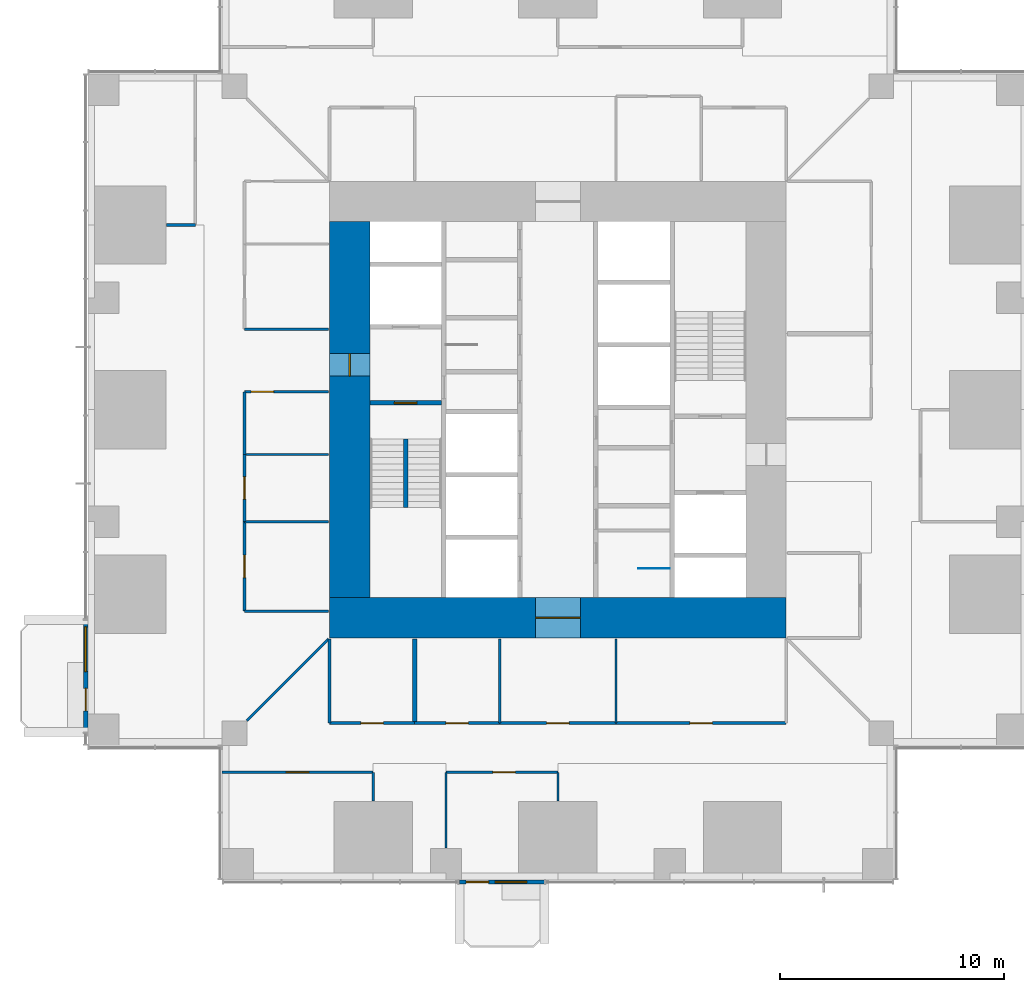
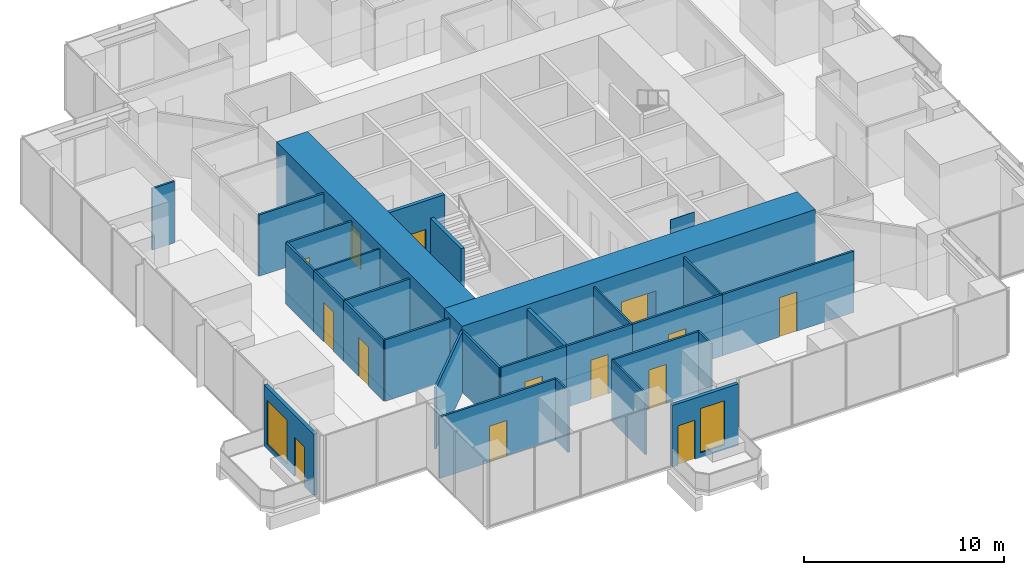
# One storey, part 11 of 17: 30 walls, 14 doors, 2 windows, 16 openings.
"""IFC4 building model written with IfcOpenShell, lengths in metres."""

from ifc_helpers import new_model, si_unit, direction, frame, frame_2d, origin, place, context, subcontext, project, spatial, rectangle, extrude, material, layer, layer_set, type_object, element, fill, save


model = new_model("IFC4")

# Units and contexts
model_context = context("Model", 3, precision=1e-05, world=origin(), true_north=direction((0.0, 1.0)))
body_context = subcontext(model_context, "Body", "Model", "MODEL_VIEW")
ifc_project = project(units=[si_unit("LENGTHUNIT", "METRE"), si_unit("AREAUNIT", "SQUARE_METRE"), si_unit("VOLUMEUNIT", "CUBIC_METRE"), si_unit("PLANEANGLEUNIT", "RADIAN"), si_unit("MASSUNIT", "GRAM", prefix="KILO")], contexts=[model_context])

# Site, building, storey
site_placement = place(None, origin())
site = spatial("IfcSite", under=ifc_project, at=site_placement, CompositionType="ELEMENT")
building_placement = place(site_placement, origin())
building = spatial("IfcBuilding", under=site, at=building_placement, Name="Svetlomir Tower", CompositionType="ELEMENT")
storey_placement = place(building_placement, frame((0.0, 0.0, 70.5)))
storey = spatial("IfcBuildingStorey", under=building, at=storey_placement, Name="L16", CompositionType="ELEMENT", Elevation=70.5)

# Wall
ifc_material_1 = material(Name="Gypsum board on twin steel studs", Category="steel")
ifc_layer_1 = layer(ifc_material_1, 0.199951171875)
ifc_layer_set_1 = layer_set([ifc_layer_1], Name="Gypsum board on twin steel studs")
wall_type_1 = type_object("IfcWallType", Name="ACOUSTIC PARTITION 200", PredefinedType="PARTITIONING", material=ifc_layer_set_1)
wall_1_placement = place(storey_placement, frame((14.60009765625, 7.0, 0.0), z_axis=(0.0, 0.0, 1.0), x_axis=(0.0, 1.0, 0.0)))
element("IfcWall", 1, at=wall_1_placement, inside=storey, type_object=wall_type_1, Name="Acoustic partition L16", PredefinedType="PARTITIONING", context=body_context, shape_type="SweptSolid", body=[
    extrude(rectangle(XDim=3.75, YDim=0.199951171875, at=frame_2d((1.875, 0.0))), origin(), (0.0, 0.0, 1.0), 3.75),
])

# Wall, openings, door, window
ifc_material_2 = material(Name="Bronze anodised aluminium glazed screen", Category="aluminium")
ifc_layer_2 = layer(ifc_material_2, 0.199951171875)
ifc_layer_set_2 = layer_set([ifc_layer_2], Name="Bronze anodised aluminium glazed screen")
wall_type_2 = type_object("IfcWallType", Name="BALCONY SCREEN WALL 200", PredefinedType="USERDEFINED", material=ifc_layer_set_2)
wall_2_placement = place(storey_placement, frame((16.60009765625, -0.10009765625, 0.0), z_axis=(0.0, 0.0, 1.0), x_axis=(1.0, 0.0, 0.0)))
wall_2 = element("IfcWall", 2, at=wall_2_placement, inside=storey, type_object=wall_type_2, Name="Balcony screen S", ObjectType="GLAZED SCREEN", PredefinedType="USERDEFINED", context=body_context, shape_type="SweptSolid", body=[
    extrude(rectangle(XDim=3.7998046875, YDim=0.199951171875, at=frame_2d((1.89990234375, 0.0))), origin(), (0.0, 0.0, 1.0), 3.75),
])
opening_1_placement = place(wall_2_placement, frame((0.300048828125, 0.0, 0.0)))
opening_1 = element("IfcOpeningElement", 3, at=opening_1_placement, cuts=wall_2, Name="Opening BD", PredefinedType="OPENING", context=body_context, shape_type="SweptSolid", body=[
    extrude(rectangle(XDim=1.0, YDim=2.39990234375, at=frame_2d((0.5, 1.199951171875))), frame((0.0, 0.10986328125, 0.0), z_axis=(0.0, -1.0, 0.0), x_axis=(1.0, 0.0, 0.0)), (0.0, 0.0, 1.0), 0.219970703125),
])
opening_2_placement = place(wall_2_placement, frame((1.60009765625, 0.0, 0.300048828125)))
opening_2 = element("IfcOpeningElement", 4, at=opening_2_placement, cuts=wall_2, Name="Opening WS2", PredefinedType="OPENING", context=body_context, shape_type="SweptSolid", body=[
    extrude(rectangle(XDim=1.39990234375, YDim=2.699951171875, at=frame_2d((0.699951171875, 1.35009765625))), frame((0.0, 0.10986328125, 0.0), z_axis=(0.0, -1.0, 0.0), x_axis=(1.0, 0.0, 0.0)), (0.0, 0.0, 1.0), 0.219970703125),
])
ifc_material_3 = material(Name="Bronze anodised aluminium glazed door", Category="aluminium")
door_type_1 = type_object("IfcDoorType", Name="BALCONY DOOR BD 1000x2400", OperationType="SINGLE_SWING_LEFT", PredefinedType="DOOR", material=ifc_material_3)
door_1_placement = place(opening_1_placement, origin())
door_1 = element("IfcDoor", 5, at=door_1_placement, inside=storey, type_object=door_type_1, Name="Balcony screen S door", OperationType="SINGLE_SWING_LEFT", OverallHeight=2.39990234375, OverallWidth=1.0, PredefinedType="DOOR", context=body_context, shape_type="SweptSolid", body=[
    extrude(rectangle(XDim=1.0, YDim=2.39990234375, at=frame_2d((0.5, 1.199951171875))), frame((0.0, 0.02490234375, 0.0), z_axis=(0.0, -1.0, 0.0), x_axis=(1.0, 0.0, 0.0)), (0.0, 0.0, 1.0), 0.050048828125),
])
fill(opening_1, door_1)
ifc_material_4 = material(Name="Bronze anodised aluminium window", Category="aluminium")
window_type_1 = type_object("IfcWindowType", Name="SCREEN WINDOW WS2 1400x2700", PartitioningType="SINGLE_PANEL", PredefinedType="WINDOW", material=ifc_material_4)
window_1_placement = place(opening_2_placement, origin())
window_1 = element("IfcWindow", 6, at=window_1_placement, inside=storey, type_object=window_type_1, Name="Balcony screen S window 1", OverallHeight=2.699951171875, OverallWidth=1.39990234375, PartitioningType="SINGLE_PANEL", PredefinedType="WINDOW", context=body_context, shape_type="SweptSolid", body=[
    extrude(rectangle(XDim=1.39990234375, YDim=2.699951171875, at=frame_2d((0.699951171875, 1.35009765625))), frame((0.0, 0.030029296875, 0.0), z_axis=(0.0, -1.0, 0.0), x_axis=(1.0, 0.0, 0.0)), (0.0, 0.0, 1.0), 0.06005859375),
])
fill(opening_2, window_1)

wall_3_placement = place(storey_placement, frame((-0.10009765625, 11.60009765625, 0.0), z_axis=(0.0, 0.0, 1.0), x_axis=(0.0, -1.0, 0.0)))
wall_3 = element("IfcWall", 7, at=wall_3_placement, inside=storey, type_object=wall_type_2, Name="Balcony screen W", ObjectType="GLAZED SCREEN", PredefinedType="USERDEFINED", context=body_context, shape_type="SweptSolid", body=[
    extrude(rectangle(XDim=5.0, YDim=0.199951171875, at=frame_2d((2.5, 0.0))), origin(), (0.0, 0.0, 1.0), 3.75),
])
opening_3_placement = place(wall_3_placement, frame((3.050048828125, 0.0, 0.0)))
opening_3 = element("IfcOpeningElement", 8, at=opening_3_placement, cuts=wall_3, Name="Opening BD", PredefinedType="OPENING", context=body_context, shape_type="SweptSolid", body=[
    extrude(rectangle(XDim=1.0, YDim=2.39990234375, at=frame_2d((0.5, 1.199951171875))), frame((0.0, 0.10986328125, 0.0), z_axis=(0.0, -1.0, 0.0), x_axis=(1.0, 0.0, 0.0)), (0.0, 0.0, 1.0), 0.219970703125),
])
opening_4_placement = place(wall_3_placement, frame((0.300048828125, 0.0, 0.300048828125)))
opening_4 = element("IfcOpeningElement", 9, at=opening_4_placement, cuts=wall_3, Name="Opening WS", PredefinedType="OPENING", context=body_context, shape_type="SweptSolid", body=[
    extrude(rectangle(XDim=2.0, YDim=2.699951171875, at=frame_2d((1.0, 1.35009765625))), frame((0.0, 0.10986328125, 0.0), z_axis=(0.0, -1.0, 0.0), x_axis=(1.0, 0.0, 0.0)), (0.0, 0.0, 1.0), 0.219970703125),
])
door_2_placement = place(opening_3_placement, origin())
door_2 = element("IfcDoor", 10, at=door_2_placement, inside=storey, type_object=door_type_1, Name="Balcony screen W door", OperationType="SINGLE_SWING_LEFT", OverallHeight=2.39990234375, OverallWidth=1.0, PredefinedType="DOOR", context=body_context, shape_type="SweptSolid", body=[
    extrude(rectangle(XDim=1.0, YDim=2.39990234375, at=frame_2d((0.5, 1.199951171875))), frame((0.0, 0.02490234375, 0.0), z_axis=(0.0, -1.0, 0.0), x_axis=(1.0, 0.0, 0.0)), (0.0, 0.0, 1.0), 0.050048828125),
])
fill(opening_3, door_2)
ifc_material_5 = material(Name="Bronze anodised aluminium window", Category="aluminium")
window_type_2 = type_object("IfcWindowType", Name="SCREEN WINDOW WS 2000x2700", PartitioningType="SINGLE_PANEL", PredefinedType="WINDOW", material=ifc_material_5)
window_2_placement = place(opening_4_placement, origin())
window_2 = element("IfcWindow", 11, at=window_2_placement, inside=storey, type_object=window_type_2, Name="Balcony screen W window 1", OverallHeight=2.699951171875, OverallWidth=2.0, PartitioningType="SINGLE_PANEL", PredefinedType="WINDOW", context=body_context, shape_type="SweptSolid", body=[
    extrude(rectangle(XDim=2.0, YDim=2.699951171875, at=frame_2d((1.0, 1.35009765625))), frame((0.0, 0.030029296875, 0.0), z_axis=(0.0, -1.0, 0.0), x_axis=(1.0, 0.0, 0.0)), (0.0, 0.0, 1.0), 0.06005859375),
])
fill(opening_4, window_2)

# Wall, opening, door
ifc_material_6 = material(Name="Concrete C60/75", Category="concrete")
ifc_layer_3 = layer(ifc_material_6, 0.199951171875)
ifc_layer_set_3 = layer_set([ifc_layer_3], Name="Concrete C60/75")
wall_type_3 = type_object("IfcWallType", Name="CORE INNER WALL 200", PredefinedType="SHEAR", material=ifc_layer_set_3)
wall_4_placement = place(storey_placement, frame((12.60009765625, 21.300048828125, -0.050048828125), z_axis=(0.0, 0.0, 1.0), x_axis=(1.0, 0.0, 0.0)))
wall_4 = element("IfcWall", 12, at=wall_4_placement, inside=storey, type_object=wall_type_3, Name="Core inner wall 12.6-15.8/21.3 L16", PredefinedType="SHEAR", context=body_context, shape_type="SweptSolid", body=[
    extrude(rectangle(XDim=3.199951171875, YDim=0.199951171875, at=frame_2d((1.60009765625, 0.0))), origin(), (0.0, 0.0, 1.0), 4.0),
])
opening_5_placement = place(wall_4_placement, frame((1.10009765625, 0.0, 0.050048828125)))
opening_5 = element("IfcOpeningElement", 13, at=opening_5_placement, cuts=wall_4, Name="Opening DF", PredefinedType="OPENING", context=body_context, shape_type="SweptSolid", body=[
    extrude(rectangle(XDim=1.0, YDim=2.199951171875, at=frame_2d((0.5, 1.10009765625))), frame((0.0, 0.10986328125, 0.0), z_axis=(0.0, -1.0, 0.0), x_axis=(1.0, 0.0, 0.0)), (0.0, 0.0, 1.0), 0.219970703125),
])
ifc_material_7 = material(Name="Steel fire door", Category="steel")
door_type_2 = type_object("IfcDoorType", Name="DOOR DF 1000x2200", OperationType="SINGLE_SWING_LEFT", PredefinedType="DOOR", material=ifc_material_7)
door_3_placement = place(opening_5_placement, origin())
door_3 = element("IfcDoor", 14, at=door_3_placement, inside=storey, type_object=door_type_2, Name="Stair S1 door L16", OperationType="SINGLE_SWING_RIGHT", OverallHeight=2.199951171875, OverallWidth=1.0, PredefinedType="DOOR", context=body_context, shape_type="SweptSolid", body=[
    extrude(rectangle(XDim=1.0, YDim=2.199951171875, at=frame_2d((0.5, 1.10009765625))), frame((0.0, 0.02490234375, 0.0), z_axis=(0.0, -1.0, 0.0), x_axis=(1.0, 0.0, 0.0)), (0.0, 0.0, 1.0), 0.050048828125),
])
fill(opening_5, door_3)

ifc_material_8 = material(Name="Concrete C60/75", Category="concrete")
ifc_layer_4 = layer(ifc_material_8, 1.800048828125)
ifc_layer_set_4 = layer_set([ifc_layer_4], Name="Concrete C60/75")
wall_type_4 = type_object("IfcWallType", Name="CORE WALL 1800", PredefinedType="SHEAR", material=ifc_layer_set_4)
wall_5_placement = place(storey_placement, frame((10.800048828125, 11.699951171875, -0.050048828125), z_axis=(0.0, 0.0, 1.0), x_axis=(1.0, 0.0, 0.0)))
wall_5 = element("IfcWall", 15, at=wall_5_placement, inside=storey, type_object=wall_type_4, Name="Core wall south L16", PredefinedType="SHEAR", context=body_context, shape_type="SweptSolid", body=[
    extrude(rectangle(XDim=20.39990234375, YDim=1.800048828125, at=frame_2d((10.199951171875, 0.0))), origin(), (0.0, 0.0, 1.0), 4.0),
])
opening_6_placement = place(wall_5_placement, frame((9.199951171875, 0.0, 0.050048828125)))
opening_6 = element("IfcOpeningElement", 16, at=opening_6_placement, cuts=wall_5, Name="Opening DL", PredefinedType="OPENING", context=body_context, shape_type="SweptSolid", body=[
    extrude(rectangle(XDim=2.0, YDim=2.199951171875, at=frame_2d((1.0, 1.10009765625))), frame((0.0, 0.91015625, 0.0), z_axis=(0.0, -1.0, 0.0), x_axis=(1.0, 0.0, 0.0)), (0.0, 0.0, 1.0), 1.820068359375),
])
ifc_material_9 = material(Name="Steel fire door", Category="steel")
door_type_3 = type_object("IfcDoorType", Name="DOOR DL 2000x2200", OperationType="DOUBLE_DOOR_SINGLE_SWING", PredefinedType="DOOR", material=ifc_material_9)
door_4_placement = place(opening_6_placement, origin())
door_4 = element("IfcDoor", 17, at=door_4_placement, inside=storey, type_object=door_type_3, Name="Lift lobby south door L16", OperationType="DOUBLE_DOOR_SINGLE_SWING", OverallHeight=2.199951171875, OverallWidth=2.0, PredefinedType="DOOR", context=body_context, shape_type="SweptSolid", body=[
    extrude(rectangle(XDim=2.0, YDim=2.199951171875, at=frame_2d((1.0, 1.10009765625))), frame((0.0, 0.02490234375, 0.0), z_axis=(0.0, -1.0, 0.0), x_axis=(1.0, 0.0, 0.0)), (0.0, 0.0, 1.0), 0.050048828125),
])
fill(opening_6, door_4)

wall_6_placement = place(storey_placement, frame((11.699951171875, 12.60009765625, -0.050048828125), z_axis=(0.0, 0.0, 1.0), x_axis=(0.0, 1.0, 0.0)))
wall_6 = element("IfcWall", 18, at=wall_6_placement, inside=storey, type_object=wall_type_4, Name="Core wall west L16", PredefinedType="SHEAR", context=body_context, shape_type="SweptSolid", body=[
    extrude(rectangle(XDim=16.7998046875, YDim=1.800048828125, at=frame_2d((8.39990234375, 0.0))), origin(), (0.0, 0.0, 1.0), 4.0),
])
opening_7_placement = place(wall_6_placement, frame((9.89990234375, 0.0, 0.050048828125)))
opening_7 = element("IfcOpeningElement", 19, at=opening_7_placement, cuts=wall_6, Name="Opening DF", PredefinedType="OPENING", context=body_context, shape_type="SweptSolid", body=[
    extrude(rectangle(XDim=1.0, YDim=2.199951171875, at=frame_2d((0.5, 1.10009765625))), frame((0.0, 0.91015625, 0.0), z_axis=(0.0, -1.0, 0.0), x_axis=(1.0, 0.0, 0.0)), (0.0, 0.0, 1.0), 1.820068359375),
])
door_5_placement = place(opening_7_placement, origin())
door_5 = element("IfcDoor", 20, at=door_5_placement, inside=storey, type_object=door_type_2, Name="Firefighting lobby west door L16", OperationType="SINGLE_SWING_RIGHT", OverallHeight=2.199951171875, OverallWidth=1.0, PredefinedType="DOOR", context=body_context, shape_type="SweptSolid", body=[
    extrude(rectangle(XDim=1.0, YDim=2.199951171875, at=frame_2d((0.5, 1.10009765625))), frame((0.0, 0.02490234375, 0.0), z_axis=(0.0, -1.0, 0.0), x_axis=(1.0, 0.0, 0.0)), (0.0, 0.0, 1.0), 0.050048828125),
])
fill(opening_7, door_5)

# Walls
ifc_material_10 = material(Name="Framed laminated glass partition", Category="glass")
ifc_layer_5 = layer(ifc_material_10, 0.10009765625)
ifc_layer_set_5 = layer_set([ifc_layer_5], Name="Framed laminated glass partition")
wall_type_5 = type_object("IfcWallType", Name="GLAZED PARTITION 100", PredefinedType="PARTITIONING", material=ifc_layer_set_5)
wall_7_placement = place(storey_placement, frame((7.0, 19.0, 0.0), z_axis=(0.0, 0.0, 1.0), x_axis=(1.0, 0.0, 0.0)))
element("IfcWall", 21, at=wall_7_placement, inside=storey, type_object=wall_type_5, Name="Glazed partition L16", PredefinedType="PARTITIONING", context=body_context, shape_type="SweptSolid", body=[
    extrude(rectangle(XDim=3.75, YDim=0.10009765625, at=frame_2d((1.875, 0.0))), origin(), (0.0, 0.0, 1.0), 3.75),
])
wall_8_placement = place(storey_placement, frame((16.0, 1.409912109375, 0.0), z_axis=(0.0, 0.0, 1.0), x_axis=(0.0, 1.0, 0.0)))
element("IfcWall", 22, at=wall_8_placement, inside=storey, type_object=wall_type_5, Name="Glazed partition L16", PredefinedType="PARTITIONING", context=body_context, shape_type="SweptSolid", body=[
    extrude(rectangle(XDim=3.39013671875, YDim=0.10009765625, at=frame_2d((1.695068359375, 0.0))), origin(), (0.0, 0.0, 1.0), 3.75),
])
wall_9_placement = place(storey_placement, frame((18.39990234375, 7.0, 0.0), z_axis=(0.0, 0.0, 1.0), x_axis=(0.0, 1.0, 0.0)))
element("IfcWall", 23, at=wall_9_placement, inside=storey, type_object=wall_type_5, Name="Glazed partition L16", PredefinedType="PARTITIONING", context=body_context, shape_type="SweptSolid", body=[
    extrude(rectangle(XDim=3.75, YDim=0.10009765625, at=frame_2d((1.875, 0.0))), origin(), (0.0, 0.0, 1.0), 3.75),
])
wall_10_placement = place(storey_placement, frame((21.0, 3.510009765625, 0.0), z_axis=(0.0, 0.0, 1.0), x_axis=(0.0, 1.0, 0.0)))
element("IfcWall", 24, at=wall_10_placement, inside=storey, type_object=wall_type_5, Name="Glazed partition L16", PredefinedType="PARTITIONING", context=body_context, shape_type="SweptSolid", body=[
    extrude(rectangle(XDim=1.2900390625, YDim=0.10009765625, at=frame_2d((0.64501953125, 0.0))), origin(), (0.0, 0.0, 1.0), 3.75),
])
wall_11_placement = place(storey_placement, frame((23.60009765625, 7.0, 0.0), z_axis=(0.0, 0.0, 1.0), x_axis=(0.0, 1.0, 0.0)))
element("IfcWall", 25, at=wall_11_placement, inside=storey, type_object=wall_type_5, Name="Glazed partition L16", PredefinedType="PARTITIONING", context=body_context, shape_type="SweptSolid", body=[
    extrude(rectangle(XDim=3.75, YDim=0.10009765625, at=frame_2d((1.875, 0.0))), origin(), (0.0, 0.0, 1.0), 3.75),
])
ifc_material_11 = material(Name="Gypsum board on steel studs", Category="steel")
ifc_layer_6 = layer(ifc_material_11, 0.1201171875)
ifc_layer_set_6 = layer_set([ifc_layer_6], Name="Gypsum board on steel studs")
wall_type_6 = type_object("IfcWallType", Name="PARTITION 120", PredefinedType="PARTITIONING", material=ifc_layer_set_6)
wall_12_placement = place(storey_placement, frame((3.510009765625, 29.25, 0.0), z_axis=(0.0, 0.0, 1.0), x_axis=(1.0, 0.0, 0.0)))
element("IfcWall", 26, at=wall_12_placement, inside=storey, type_object=wall_type_6, Name="Partition L16", PredefinedType="PARTITIONING", context=body_context, shape_type="SweptSolid", body=[
    extrude(rectangle(XDim=1.2900390625, YDim=0.1201171875, at=frame_2d((0.64501953125, 0.0))), origin(), (0.0, 0.0, 1.0), 3.75),
])

# Wall, opening, door
wall_13_placement = place(storey_placement, frame((6.0, 4.800048828125, 0.0), z_axis=(0.0, 0.0, 1.0), x_axis=(1.0, 0.0, 0.0)))
wall_13 = element("IfcWall", 27, at=wall_13_placement, inside=storey, type_object=wall_type_6, Name="Partition L16", PredefinedType="PARTITIONING", context=body_context, shape_type="SweptSolid", body=[
    extrude(rectangle(XDim=6.75, YDim=0.1201171875, at=frame_2d((3.375, 0.0))), origin(), (0.0, 0.0, 1.0), 3.75),
])
opening_8_placement = place(wall_13_placement, frame((2.875, 0.0, 0.0)))
opening_8 = element("IfcOpeningElement", 28, at=opening_8_placement, cuts=wall_13, Name="Opening DR", PredefinedType="OPENING", context=body_context, shape_type="SweptSolid", body=[
    extrude(rectangle(XDim=1.0, YDim=2.199951171875, at=frame_2d((0.5, 1.10009765625))), frame((0.0, 0.070068359375, 0.0), z_axis=(0.0, -1.0, 0.0), x_axis=(1.0, 0.0, 0.0)), (0.0, 0.0, 1.0), 0.14013671875),
])
ifc_material_12 = material(Name="Timber door, glazed side light", Category="wood")
door_type_4 = type_object("IfcDoorType", Name="DOOR DR 1000x2200", OperationType="SINGLE_SWING_LEFT", PredefinedType="DOOR", material=ifc_material_12)
door_6_placement = place(opening_8_placement, origin())
door_6 = element("IfcDoor", 29, at=door_6_placement, inside=storey, type_object=door_type_4, Name="Head of procurement office door L16", OperationType="SINGLE_SWING_RIGHT", OverallHeight=2.199951171875, OverallWidth=1.0, PredefinedType="DOOR", context=body_context, shape_type="SweptSolid", body=[
    extrude(rectangle(XDim=1.0, YDim=2.199951171875, at=frame_2d((0.5, 1.10009765625))), frame((0.0, 0.02490234375, 0.0), z_axis=(0.0, -1.0, 0.0), x_axis=(1.0, 0.0, 0.0)), (0.0, 0.0, 1.0), 0.050048828125),
])
fill(opening_8, door_6)

wall_14_placement = place(storey_placement, frame((7.0, 12.0, 0.0), z_axis=(0.0, 0.0, 1.0), x_axis=(0.0, 1.0, 0.0)))
wall_14 = element("IfcWall", 30, at=wall_14_placement, inside=storey, type_object=wall_type_6, Name="Partition L16", PredefinedType="PARTITIONING", context=body_context, shape_type="SweptSolid", body=[
    extrude(rectangle(XDim=4.0, YDim=0.1201171875, at=frame_2d((2.0, 0.0))), origin(), (0.0, 0.0, 1.0), 3.75),
])
opening_9_placement = place(wall_14_placement, frame((1.5, 0.0, 0.0)))
opening_9 = element("IfcOpeningElement", 31, at=opening_9_placement, cuts=wall_14, Name="Opening DG", PredefinedType="OPENING", context=body_context, shape_type="SweptSolid", body=[
    extrude(rectangle(XDim=1.0, YDim=2.39990234375, at=frame_2d((0.5, 1.199951171875))), frame((0.0, 0.070068359375, 0.0), z_axis=(0.0, -1.0, 0.0), x_axis=(1.0, 0.0, 0.0)), (0.0, 0.0, 1.0), 0.14013671875),
])
ifc_material_13 = material(Name="Framed laminated glass door", Category="glass")
door_type_5 = type_object("IfcDoorType", Name="GLAZED DOOR DG 1000x2400", OperationType="SINGLE_SWING_LEFT", PredefinedType="DOOR", material=ifc_material_13)
door_7_placement = place(opening_9_placement, origin())
door_7 = element("IfcDoor", 32, at=door_7_placement, inside=storey, type_object=door_type_5, Name="Meeting room, 4 seats 2 door L16", OperationType="SINGLE_SWING_LEFT", OverallHeight=2.39990234375, OverallWidth=1.0, PredefinedType="DOOR", context=body_context, shape_type="SweptSolid", body=[
    extrude(rectangle(XDim=1.0, YDim=2.39990234375, at=frame_2d((0.5, 1.199951171875))), frame((0.0, 0.02490234375, 0.0), z_axis=(0.0, -1.0, 0.0), x_axis=(1.0, 0.0, 0.0)), (0.0, 0.0, 1.0), 0.050048828125),
])
fill(opening_9, door_7)

# Wall
wall_15_placement = place(storey_placement, frame((7.0, 12.0, 0.0), z_axis=(0.0, 0.0, 1.0), x_axis=(1.0, 0.0, 0.0)))
element("IfcWall", 33, at=wall_15_placement, inside=storey, type_object=wall_type_6, Name="Partition L16", PredefinedType="PARTITIONING", context=body_context, shape_type="SweptSolid", body=[
    extrude(rectangle(XDim=3.75, YDim=0.1201171875, at=frame_2d((1.875, 0.0))), origin(), (0.0, 0.0, 1.0), 3.75),
])

# Wall, opening, door
wall_16_placement = place(storey_placement, frame((7.0, 16.0, 0.0), z_axis=(0.0, 0.0, 1.0), x_axis=(0.0, 1.0, 0.0)))
wall_16 = element("IfcWall", 34, at=wall_16_placement, inside=storey, type_object=wall_type_6, Name="Partition L16", PredefinedType="PARTITIONING", context=body_context, shape_type="SweptSolid", body=[
    extrude(rectangle(XDim=3.0, YDim=0.1201171875, at=frame_2d((1.5, 0.0))), origin(), (0.0, 0.0, 1.0), 3.75),
])
opening_10_placement = place(wall_16_placement, frame((1.0, 0.0, 0.0)))
opening_10 = element("IfcOpeningElement", 35, at=opening_10_placement, cuts=wall_16, Name="Opening DG", PredefinedType="OPENING", context=body_context, shape_type="SweptSolid", body=[
    extrude(rectangle(XDim=1.0, YDim=2.39990234375, at=frame_2d((0.5, 1.199951171875))), frame((0.0, 0.070068359375, 0.0), z_axis=(0.0, -1.0, 0.0), x_axis=(1.0, 0.0, 0.0)), (0.0, 0.0, 1.0), 0.14013671875),
])
door_8_placement = place(opening_10_placement, origin())
door_8 = element("IfcDoor", 36, at=door_8_placement, inside=storey, type_object=door_type_5, Name="Focus room 1 door L16", OperationType="SINGLE_SWING_RIGHT", OverallHeight=2.39990234375, OverallWidth=1.0, PredefinedType="DOOR", context=body_context, shape_type="SweptSolid", body=[
    extrude(rectangle(XDim=1.0, YDim=2.39990234375, at=frame_2d((0.5, 1.199951171875))), frame((0.0, 0.02490234375, 0.0), z_axis=(0.0, -1.0, 0.0), x_axis=(1.0, 0.0, 0.0)), (0.0, 0.0, 1.0), 0.050048828125),
])
fill(opening_10, door_8)

# Walls
wall_17_placement = place(storey_placement, frame((7.0, 16.0, 0.0), z_axis=(0.0, 0.0, 1.0), x_axis=(1.0, 0.0, 0.0)))
element("IfcWall", 37, at=wall_17_placement, inside=storey, type_object=wall_type_6, Name="Partition L16", PredefinedType="PARTITIONING", context=body_context, shape_type="SweptSolid", body=[
    extrude(rectangle(XDim=3.75, YDim=0.1201171875, at=frame_2d((1.875, 0.0))), origin(), (0.0, 0.0, 1.0), 3.75),
])
wall_18_placement = place(storey_placement, frame((7.0, 19.0, 0.0), z_axis=(0.0, 0.0, 1.0), x_axis=(0.0, 1.0, 0.0)))
element("IfcWall", 38, at=wall_18_placement, inside=storey, type_object=wall_type_6, Name="Partition L16", PredefinedType="PARTITIONING", context=body_context, shape_type="SweptSolid", body=[
    extrude(rectangle(XDim=2.800048828125, YDim=0.1201171875, at=frame_2d((1.39990234375, 0.0))), origin(), (0.0, 0.0, 1.0), 3.75),
])

# Wall, opening, door
wall_19_placement = place(storey_placement, frame((7.0, 21.800048828125, 0.0), z_axis=(0.0, 0.0, 1.0), x_axis=(1.0, 0.0, 0.0)))
wall_19 = element("IfcWall", 39, at=wall_19_placement, inside=storey, type_object=wall_type_6, Name="Partition L16", PredefinedType="PARTITIONING", context=body_context, shape_type="SweptSolid", body=[
    extrude(rectangle(XDim=3.75, YDim=0.1201171875, at=frame_2d((1.875, 0.0))), origin(), (0.0, 0.0, 1.0), 3.75),
])
opening_11_placement = place(wall_19_placement, frame((0.300048828125, 0.0, 0.0)))
opening_11 = element("IfcOpeningElement", 40, at=opening_11_placement, cuts=wall_19, Name="Opening DG", PredefinedType="OPENING", context=body_context, shape_type="SweptSolid", body=[
    extrude(rectangle(XDim=1.0, YDim=2.39990234375, at=frame_2d((0.5, 1.199951171875))), frame((0.0, 0.070068359375, 0.0), z_axis=(0.0, -1.0, 0.0), x_axis=(1.0, 0.0, 0.0)), (0.0, 0.0, 1.0), 0.14013671875),
])
door_9_placement = place(opening_11_placement, origin())
door_9 = element("IfcDoor", 41, at=door_9_placement, inside=storey, type_object=door_type_5, Name="Ring corridor 3 door 3 L16", OperationType="SINGLE_SWING_LEFT", OverallHeight=2.39990234375, OverallWidth=1.0, PredefinedType="DOOR", context=body_context, shape_type="SweptSolid", body=[
    extrude(rectangle(XDim=1.0, YDim=2.39990234375, at=frame_2d((0.5, 1.199951171875))), frame((0.0, 0.02490234375, 0.0), z_axis=(0.0, -1.0, 0.0), x_axis=(1.0, 0.0, 0.0)), (0.0, 0.0, 1.0), 0.050048828125),
])
fill(opening_11, door_9)

# Walls
wall_20_placement = place(storey_placement, frame((7.0, 24.60009765625, 0.0), z_axis=(0.0, 0.0, 1.0), x_axis=(1.0, 0.0, 0.0)))
element("IfcWall", 42, at=wall_20_placement, inside=storey, type_object=wall_type_6, Name="Partition L16", PredefinedType="PARTITIONING", context=body_context, shape_type="SweptSolid", body=[
    extrude(rectangle(XDim=3.75, YDim=0.1201171875, at=frame_2d((1.875, 0.0))), origin(), (0.0, 0.0, 1.0), 3.75),
])
wall_21_placement = place(storey_placement, frame((7.110107421875, 7.110107421875, 0.0), z_axis=(0.0, 0.0, 1.0), x_axis=(0.707106781187, 0.707106781187, 0.0)))
element("IfcWall", 43, at=wall_21_placement, inside=storey, type_object=wall_type_6, Name="Partition L16", PredefinedType="PARTITIONING", context=body_context, shape_type="SweptSolid", body=[
    extrude(rectangle(XDim=5.168212890625, YDim=0.1201171875, at=frame_2d((2.583984375, 0.0))), origin(), (0.0, 0.0, 1.0), 3.75),
])
wall_22_placement = place(storey_placement, frame((10.800048828125, 7.0, 0.0), z_axis=(0.0, 0.0, 1.0), x_axis=(0.0, 1.0, 0.0)))
element("IfcWall", 44, at=wall_22_placement, inside=storey, type_object=wall_type_6, Name="Partition L16", PredefinedType="PARTITIONING", context=body_context, shape_type="SweptSolid", body=[
    extrude(rectangle(XDim=3.75, YDim=0.1201171875, at=frame_2d((1.875, 0.0))), origin(), (0.0, 0.0, 1.0), 3.75),
])

# Wall, opening, door
wall_23_placement = place(storey_placement, frame((10.800048828125, 7.0, 0.0), z_axis=(0.0, 0.0, 1.0), x_axis=(1.0, 0.0, 0.0)))
wall_23 = element("IfcWall", 45, at=wall_23_placement, inside=storey, type_object=wall_type_6, Name="Partition L16", PredefinedType="PARTITIONING", context=body_context, shape_type="SweptSolid", body=[
    extrude(rectangle(XDim=3.800048828125, YDim=0.1201171875, at=frame_2d((1.89990234375, 0.0))), origin(), (0.0, 0.0, 1.0), 3.75),
])
opening_12_placement = place(wall_23_placement, frame((1.39990234375, 0.0, 0.0)))
opening_12 = element("IfcOpeningElement", 46, at=opening_12_placement, cuts=wall_23, Name="Opening DG", PredefinedType="OPENING", context=body_context, shape_type="SweptSolid", body=[
    extrude(rectangle(XDim=1.0, YDim=2.39990234375, at=frame_2d((0.5, 1.199951171875))), frame((0.0, 0.070068359375, 0.0), z_axis=(0.0, -1.0, 0.0), x_axis=(1.0, 0.0, 0.0)), (0.0, 0.0, 1.0), 0.14013671875),
])
door_10_placement = place(opening_12_placement, origin())
door_10 = element("IfcDoor", 47, at=door_10_placement, inside=storey, type_object=door_type_5, Name="Meeting room, 4 seats 1 door L16", OperationType="SINGLE_SWING_LEFT", OverallHeight=2.39990234375, OverallWidth=1.0, PredefinedType="DOOR", context=body_context, shape_type="SweptSolid", body=[
    extrude(rectangle(XDim=1.0, YDim=2.39990234375, at=frame_2d((0.5, 1.199951171875))), frame((0.0, 0.02490234375, 0.0), z_axis=(0.0, -1.0, 0.0), x_axis=(1.0, 0.0, 0.0)), (0.0, 0.0, 1.0), 0.050048828125),
])
fill(opening_12, door_10)

# Wall
wall_24_placement = place(storey_placement, frame((12.75, 3.510009765625, 0.0), z_axis=(0.0, 0.0, 1.0), x_axis=(0.0, 1.0, 0.0)))
element("IfcWall", 48, at=wall_24_placement, inside=storey, type_object=wall_type_6, Name="Partition L16", PredefinedType="PARTITIONING", context=body_context, shape_type="SweptSolid", body=[
    extrude(rectangle(XDim=1.2900390625, YDim=0.1201171875, at=frame_2d((0.64501953125, 0.0))), origin(), (0.0, 0.0, 1.0), 3.75),
])

# Wall, opening, door
wall_25_placement = place(storey_placement, frame((14.60009765625, 7.0, 0.0), z_axis=(0.0, 0.0, 1.0), x_axis=(1.0, 0.0, 0.0)))
wall_25 = element("IfcWall", 49, at=wall_25_placement, inside=storey, type_object=wall_type_6, Name="Partition L16", PredefinedType="PARTITIONING", context=body_context, shape_type="SweptSolid", body=[
    extrude(rectangle(XDim=3.7998046875, YDim=0.1201171875, at=frame_2d((1.89990234375, 0.0))), origin(), (0.0, 0.0, 1.0), 3.75),
])
opening_13_placement = place(wall_25_placement, frame((1.39990234375, 0.0, 0.0)))
opening_13 = element("IfcOpeningElement", 50, at=opening_13_placement, cuts=wall_25, Name="Opening DG", PredefinedType="OPENING", context=body_context, shape_type="SweptSolid", body=[
    extrude(rectangle(XDim=1.0, YDim=2.39990234375, at=frame_2d((0.5, 1.199951171875))), frame((0.0, 0.070068359375, 0.0), z_axis=(0.0, -1.0, 0.0), x_axis=(1.0, 0.0, 0.0)), (0.0, 0.0, 1.0), 0.14013671875),
])
door_11_placement = place(opening_13_placement, origin())
door_11 = element("IfcDoor", 51, at=door_11_placement, inside=storey, type_object=door_type_5, Name="Tender opening room, 6 seats door L16", OperationType="SINGLE_SWING_RIGHT", OverallHeight=2.39990234375, OverallWidth=1.0, PredefinedType="DOOR", context=body_context, shape_type="SweptSolid", body=[
    extrude(rectangle(XDim=1.0, YDim=2.39990234375, at=frame_2d((0.5, 1.199951171875))), frame((0.0, 0.02490234375, 0.0), z_axis=(0.0, -1.0, 0.0), x_axis=(1.0, 0.0, 0.0)), (0.0, 0.0, 1.0), 0.050048828125),
])
fill(opening_13, door_11)

wall_26_placement = place(storey_placement, frame((16.0, 4.800048828125, 0.0), z_axis=(0.0, 0.0, 1.0), x_axis=(1.0, 0.0, 0.0)))
wall_26 = element("IfcWall", 52, at=wall_26_placement, inside=storey, type_object=wall_type_6, Name="Partition L16", PredefinedType="PARTITIONING", context=body_context, shape_type="SweptSolid", body=[
    extrude(rectangle(XDim=5.0, YDim=0.1201171875, at=frame_2d((2.5, 0.0))), origin(), (0.0, 0.0, 1.0), 3.75),
])
opening_14_placement = place(wall_26_placement, frame((2.10009765625, 0.0, 0.0)))
opening_14 = element("IfcOpeningElement", 53, at=opening_14_placement, cuts=wall_26, Name="Opening DG", PredefinedType="OPENING", context=body_context, shape_type="SweptSolid", body=[
    extrude(rectangle(XDim=1.0, YDim=2.39990234375, at=frame_2d((0.5, 1.199951171875))), frame((0.0, 0.070068359375, 0.0), z_axis=(0.0, -1.0, 0.0), x_axis=(1.0, 0.0, 0.0)), (0.0, 0.0, 1.0), 0.14013671875),
])
door_12_placement = place(opening_14_placement, origin())
door_12 = element("IfcDoor", 54, at=door_12_placement, inside=storey, type_object=door_type_5, Name="Break-out and kitchenette door L16", OperationType="SINGLE_SWING_LEFT", OverallHeight=2.39990234375, OverallWidth=1.0, PredefinedType="DOOR", context=body_context, shape_type="SweptSolid", body=[
    extrude(rectangle(XDim=1.0, YDim=2.39990234375, at=frame_2d((0.5, 1.199951171875))), frame((0.0, 0.02490234375, 0.0), z_axis=(0.0, -1.0, 0.0), x_axis=(1.0, 0.0, 0.0)), (0.0, 0.0, 1.0), 0.050048828125),
])
fill(opening_14, door_12)

wall_27_placement = place(storey_placement, frame((18.39990234375, 7.0, 0.0), z_axis=(0.0, 0.0, 1.0), x_axis=(1.0, 0.0, 0.0)))
wall_27 = element("IfcWall", 55, at=wall_27_placement, inside=storey, type_object=wall_type_6, Name="Partition L16", PredefinedType="PARTITIONING", context=body_context, shape_type="SweptSolid", body=[
    extrude(rectangle(XDim=5.2001953125, YDim=0.1201171875, at=frame_2d((2.60009765625, 0.0))), origin(), (0.0, 0.0, 1.0), 3.75),
])
opening_15_placement = place(wall_27_placement, frame((2.10009765625, 0.0, 0.0)))
opening_15 = element("IfcOpeningElement", 56, at=opening_15_placement, cuts=wall_27, Name="Opening DG", PredefinedType="OPENING", context=body_context, shape_type="SweptSolid", body=[
    extrude(rectangle(XDim=1.0, YDim=2.39990234375, at=frame_2d((0.5, 1.199951171875))), frame((0.0, 0.070068359375, 0.0), z_axis=(0.0, -1.0, 0.0), x_axis=(1.0, 0.0, 0.0)), (0.0, 0.0, 1.0), 0.14013671875),
])
door_13_placement = place(opening_15_placement, origin())
door_13 = element("IfcDoor", 57, at=door_13_placement, inside=storey, type_object=door_type_5, Name="Ring corridor 1 door 3 L16", OperationType="SINGLE_SWING_LEFT", OverallHeight=2.39990234375, OverallWidth=1.0, PredefinedType="DOOR", context=body_context, shape_type="SweptSolid", body=[
    extrude(rectangle(XDim=1.0, YDim=2.39990234375, at=frame_2d((0.5, 1.199951171875))), frame((0.0, 0.02490234375, 0.0), z_axis=(0.0, -1.0, 0.0), x_axis=(1.0, 0.0, 0.0)), (0.0, 0.0, 1.0), 0.050048828125),
])
fill(opening_15, door_13)

wall_28_placement = place(storey_placement, frame((23.60009765625, 7.0, 0.0), z_axis=(0.0, 0.0, 1.0), x_axis=(1.0, 0.0, 0.0)))
wall_28 = element("IfcWall", 58, at=wall_28_placement, inside=storey, type_object=wall_type_6, Name="Partition L16", PredefinedType="PARTITIONING", context=body_context, shape_type="SweptSolid", body=[
    extrude(rectangle(XDim=7.599853515625, YDim=0.1201171875, at=frame_2d((3.7998046875, 0.0))), origin(), (0.0, 0.0, 1.0), 3.75),
])
opening_16_placement = place(wall_28_placement, frame((3.300048828125, 0.0, 0.0)))
opening_16 = element("IfcOpeningElement", 59, at=opening_16_placement, cuts=wall_28, Name="Opening DG", PredefinedType="OPENING", context=body_context, shape_type="SweptSolid", body=[
    extrude(rectangle(XDim=1.0, YDim=2.39990234375, at=frame_2d((0.5, 1.199951171875))), frame((0.0, 0.070068359375, 0.0), z_axis=(0.0, -1.0, 0.0), x_axis=(1.0, 0.0, 0.0)), (0.0, 0.0, 1.0), 0.14013671875),
])
door_14_placement = place(opening_16_placement, origin())
door_14 = element("IfcDoor", 60, at=door_14_placement, inside=storey, type_object=door_type_5, Name="Supplier negotiation room, 12 seats door L16", OperationType="SINGLE_SWING_LEFT", OverallHeight=2.39990234375, OverallWidth=1.0, PredefinedType="DOOR", context=body_context, shape_type="SweptSolid", body=[
    extrude(rectangle(XDim=1.0, YDim=2.39990234375, at=frame_2d((0.5, 1.199951171875))), frame((0.0, 0.02490234375, 0.0), z_axis=(0.0, -1.0, 0.0), x_axis=(1.0, 0.0, 0.0)), (0.0, 0.0, 1.0), 0.050048828125),
])
fill(opening_16, door_14)

# Walls
ifc_material_14 = material(Name="Concrete C60/75", Category="concrete")
ifc_layer_7 = layer(ifc_material_14, 0.199951171875)
ifc_layer_set_7 = layer_set([ifc_layer_7], Name="Concrete C60/75")
wall_type_7 = type_object("IfcWallType", Name="STAIR SPINE WALL 200", PredefinedType="PARTITIONING", material=ifc_layer_set_7)
wall_29_placement = place(storey_placement, frame((14.199951171875, 16.6201171875, 0.0), z_axis=(0.0, 0.0, 1.0), x_axis=(0.0, 1.0, 0.0)))
element("IfcWall", 61, at=wall_29_placement, inside=storey, type_object=wall_type_7, Name="Stair S1 spine wall L16", PredefinedType="PARTITIONING", context=body_context, shape_type="SweptSolid", body=[
    extrude(rectangle(XDim=3.079833984375, YDim=0.199951171875, at=frame_2d((1.5400390625, 0.0))), origin(), (0.0, 0.0, 1.0), 4.0),
])
ifc_material_15 = material(Name="Compact laminate panel", Category="plastic")
ifc_layer_8 = layer(ifc_material_15, 0.030029296875)
ifc_layer_set_8 = layer_set([ifc_layer_8], Name="Compact laminate panel")
wall_type_8 = type_object("IfcWallType", Name="WC CUBICLE PARTITION 30", PredefinedType="PARTITIONING", material=ifc_layer_set_8)
wall_30_placement = place(storey_placement, frame((24.60009765625, 13.89990234375, 0.0), z_axis=(0.0, 0.0, 1.0), x_axis=(1.0, 0.0, 0.0)))
element("IfcWall", 62, at=wall_30_placement, inside=storey, type_object=wall_type_8, Name="WC cubicle partition L16", PredefinedType="PARTITIONING", context=body_context, shape_type="SweptSolid", body=[
    extrude(rectangle(XDim=1.39990234375, YDim=0.030029296875, at=frame_2d((0.699951171875, 0.0))), origin(), (0.0, 0.0, 1.0), 3.75),
])

save(model, "model.ifc")
